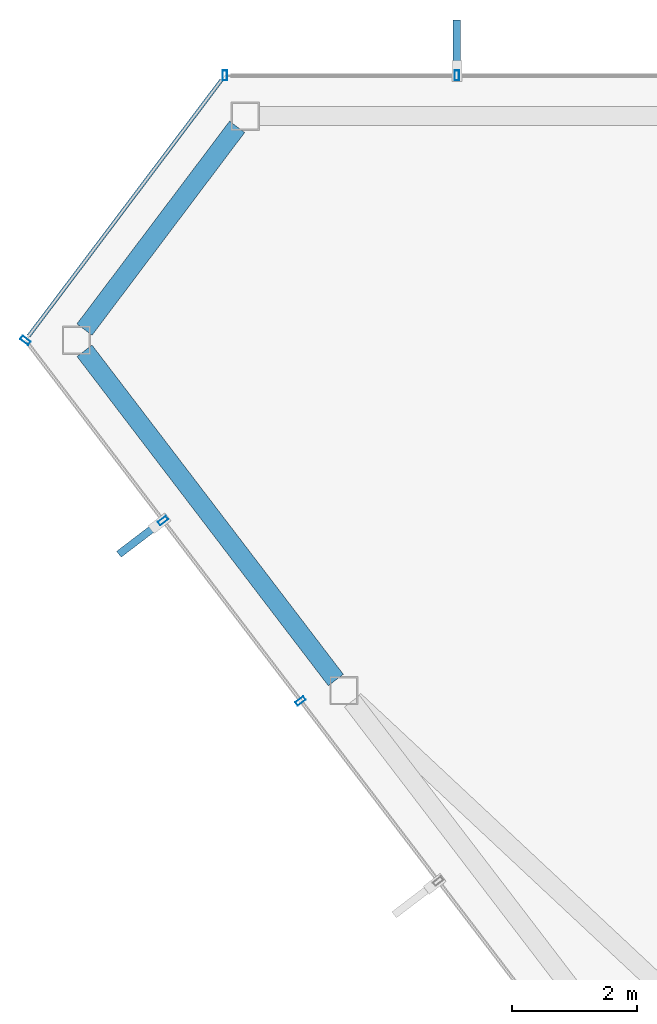
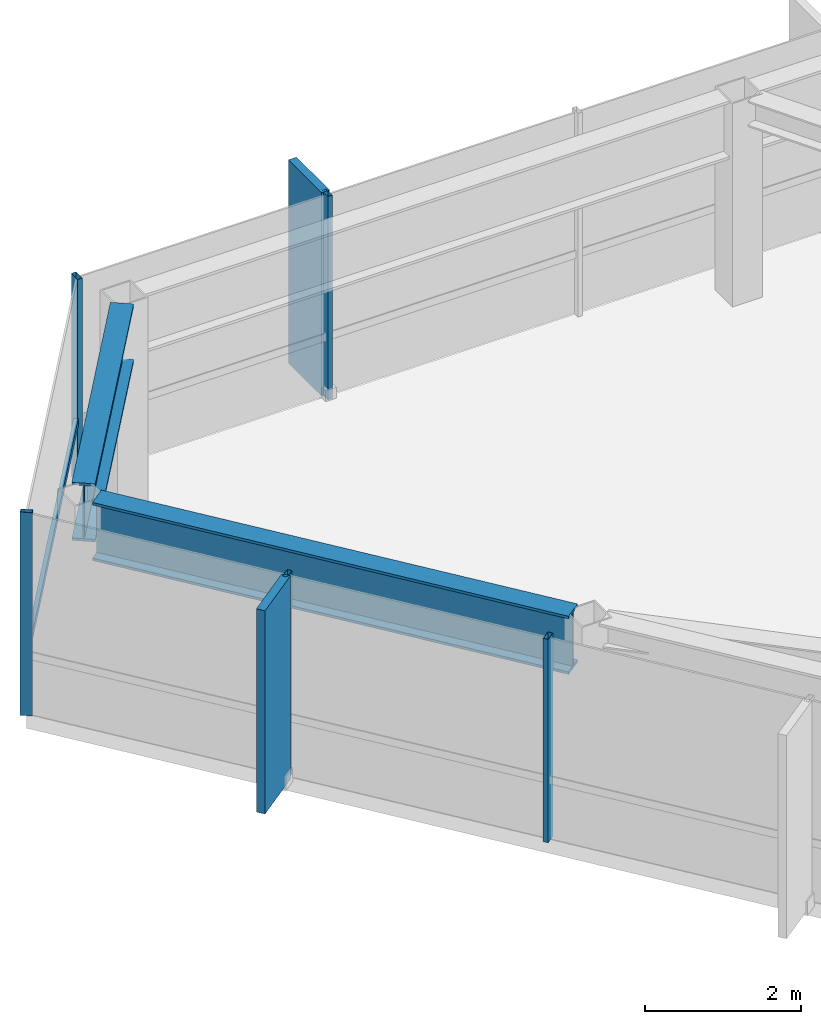
# One storey, part 10 of 22: 8 members, 2 beams, 3 elements without a shape of their own.
"""IFC4 building model written with IfcOpenShell, lengths in metres."""

from ifc_helpers import new_model, si_unit, direction, frame, origin, origin_2d, place, context, subcontext, project, spatial, rectangle, hollow_rectangle, i_section, extrude, material, layer, layer_set, material_profile, profile_set, type_object, element, aggregate, save


model = new_model("IFC4")

# Units and contexts
model_context = context("Model", 3, precision=1e-05, world=origin(), true_north=direction((0.0, 1.0)))
body_context = subcontext(model_context, "Body", "Model", "MODEL_VIEW")
ifc_project = project(units=[si_unit("LENGTHUNIT", "METRE"), si_unit("AREAUNIT", "SQUARE_METRE"), si_unit("VOLUMEUNIT", "CUBIC_METRE"), si_unit("PLANEANGLEUNIT", "RADIAN"), si_unit("MASSUNIT", "GRAM", prefix="KILO")], contexts=[model_context])

# Site, building, storey
site_placement = place(None, origin())
site = spatial("IfcSite", under=ifc_project, at=site_placement, CompositionType="ELEMENT")
building_placement = place(site_placement, origin())
building = spatial("IfcBuilding", under=site, at=building_placement, Name="Zarrinselat Tower", CompositionType="ELEMENT")
storey_placement = place(building_placement, frame((0.0, 0.0, 292.39990234375)))
storey = spatial("IfcBuildingStorey", under=building, at=storey_placement, Name="L75", CompositionType="ELEMENT", Elevation=292.39990234375)

# Beams
ifc_material_1 = material(Name="Steel S460M", Category="steel")
ifc_material_profile_1 = material_profile(ifc_material_1, i_section(OverallWidth=0.302001953125, OverallDepth=0.909912109375, WebThickness=0.02099609375, FlangeThickness=0.0400390625, at=origin_2d()), Name="HEM 900")
ifc_profile_set_1 = profile_set([ifc_material_profile_1], Name="Steel S460M")
beam_type = type_object("IfcBeamType", Name="BM-HEM900", PredefinedType="BEAM", material=ifc_profile_set_1)
beam_1_placement = place(storey_placement, frame((17.4892578125, 43.460205078125, 2.72509765625), z_axis=(0.601656958358, 0.798754595893, 0.0), x_axis=(-0.798754595893, 0.601656958358, 0.0)))
element("IfcBeam", 1, at=beam_1_placement, inside=storey, type_object=beam_type, Name="L75 Perimeter Spandrel Girder SP05", PredefinedType="BEAM", context=body_context, shape_type="SweptSolid", body=[
    extrude(i_section(OverallWidth=0.302001953125, OverallDepth=0.909912109375, WebThickness=0.02099609375, FlangeThickness=0.0400390625, at=origin_2d()), origin(), (0.0, 0.0, 1.0), 4.0517578125),
])
beam_2_placement = place(storey_placement, frame((17.490234375, 43.120849609375, 2.72509765625), z_axis=(0.606819456319, -0.794839699205, 0.0), x_axis=(0.794839699205, 0.606819456319, 0.0)))
element("IfcBeam", 2, at=beam_2_placement, inside=storey, type_object=beam_type, Name="L75 Perimeter Spandrel Girder SP06", PredefinedType="BEAM", context=body_context, shape_type="SweptSolid", body=[
    extrude(i_section(OverallWidth=0.302001953125, OverallDepth=0.909912109375, WebThickness=0.02099609375, FlangeThickness=0.0400390625, at=origin_2d()), origin(), (0.0, 0.0, 1.0), 6.61181640625),
])

# Curtain wall, members
ifc_material_2 = material(Name="Extruded Aluminium Alloy EN AW-6063 T6", Category="aluminium")
ifc_layer = layer(ifc_material_2, 0.169921875)
ifc_layer_set = layer_set([ifc_layer], Name="Extruded Aluminium Alloy EN AW-6063 T6")
curtain_wall_type = type_object("IfcCurtainWallType", Name="CWS-RES", PredefinedType="NOTDEFINED", material=ifc_layer_set)
curtain_wall_1_placement = place(storey_placement, origin())
curtain_wall_1 = element("IfcCurtainWall", 3, at=curtain_wall_1_placement, inside=storey, type_object=curtain_wall_type, Name="L75 Unitised Curtain Wall CW-L75-E01", PredefinedType="NOTDEFINED")
ifc_material_3 = material(Name="Extruded Aluminium Alloy EN AW-6063 T6", Category="aluminium")
ifc_material_profile_2 = material_profile(ifc_material_3, hollow_rectangle(XDim=0.070068359375, YDim=0.159912109375, WallThickness=0.00390625, at=origin_2d()), Name="RHS 160x70x4")
ifc_profile_set_2 = profile_set([ifc_material_profile_2], Name="Extruded Aluminium Alloy EN AW-6063 T6")
member_type_1 = type_object("IfcMemberType", Name="MEM-CW-MUL2", PredefinedType="MULLION", material=ifc_profile_set_2)
member_1_placement = place(storey_placement, frame((23.43359375, 47.5166015625, 0.0), z_axis=(0.0, 0.0, 1.0), x_axis=(-1.0, 0.0, 0.0)))
member_1 = element("IfcMember", 4, at=member_1_placement, type_object=member_type_1, Name="CW-L75-E01 Mullion 9", PredefinedType="MULLION", context=body_context, shape_type="SweptSolid", body=[
    extrude(hollow_rectangle(XDim=0.070068359375, YDim=0.159912109375, WallThickness=0.00390625, at=origin_2d()), origin(), (0.0, 0.0, 1.0), 3.18017578125),
])
member_2_placement = place(storey_placement, frame((19.731201171875, 47.5166015625, 0.0), z_axis=(0.0, 0.0, 1.0), x_axis=(-1.0, 0.0, 0.0)))
member_2 = element("IfcMember", 5, at=member_2_placement, type_object=member_type_1, Name="CW-L75-E01 Mullion 10", PredefinedType="MULLION", context=body_context, shape_type="SweptSolid", body=[
    extrude(hollow_rectangle(XDim=0.070068359375, YDim=0.159912109375, WallThickness=0.00390625, at=origin_2d()), origin(), (0.0, 0.0, 1.0), 3.18017578125),
])

# Curtain wall, member
curtain_wall_2_placement = place(storey_placement, origin())
curtain_wall_2 = element("IfcCurtainWall", 6, at=curtain_wall_2_placement, inside=storey, type_object=curtain_wall_type, Name="L75 Unitised Curtain Wall CW-L75-E02", PredefinedType="NOTDEFINED")
member_3_placement = place(storey_placement, frame((16.54541015625, 43.28759765625, 0.0), z_axis=(0.0, 0.0, 1.0), x_axis=(-0.601678799407, -0.798738143789, 0.0)))
member_3 = element("IfcMember", 7, at=member_3_placement, type_object=member_type_1, Name="CW-L75-E02 Mullion 1", PredefinedType="MULLION", context=body_context, shape_type="SweptSolid", body=[
    extrude(hollow_rectangle(XDim=0.070068359375, YDim=0.159912109375, WallThickness=0.00390625, at=origin_2d()), origin(), (0.0, 0.0, 1.0), 3.18017578125),
])

# Curtain wall, members
curtain_wall_3_placement = place(storey_placement, origin())
curtain_wall_3 = element("IfcCurtainWall", 8, at=curtain_wall_3_placement, inside=storey, type_object=curtain_wall_type, Name="L75 Unitised Curtain Wall CW-L75-E03", PredefinedType="NOTDEFINED")
member_4_placement = place(storey_placement, frame((18.7421875, 40.40966796875, 0.0), z_axis=(0.0, 0.0, 1.0), x_axis=(0.606801746242, -0.794853219631, 0.0)))
member_4 = element("IfcMember", 9, at=member_4_placement, type_object=member_type_1, Name="CW-L75-E03 Mullion 1", PredefinedType="MULLION", context=body_context, shape_type="SweptSolid", body=[
    extrude(hollow_rectangle(XDim=0.070068359375, YDim=0.159912109375, WallThickness=0.00390625, at=origin_2d()), origin(), (0.0, 0.0, 1.0), 3.18017578125),
])
member_5_placement = place(storey_placement, frame((20.939453125, 37.53173828125, 0.0), z_axis=(0.0, 0.0, 1.0), x_axis=(0.606801746242, -0.794853219631, 0.0)))
member_5 = element("IfcMember", 10, at=member_5_placement, type_object=member_type_1, Name="CW-L75-E03 Mullion 2", PredefinedType="MULLION", context=body_context, shape_type="SweptSolid", body=[
    extrude(hollow_rectangle(XDim=0.070068359375, YDim=0.159912109375, WallThickness=0.00390625, at=origin_2d()), origin(), (0.0, 0.0, 1.0), 3.18017578125),
])

# Member
ifc_material_4 = material(Name="Extruded Aluminium Alloy EN AW-6063 T6", Category="aluminium")
ifc_material_profile_3 = material_profile(ifc_material_4, hollow_rectangle(XDim=0.06005859375, YDim=0.1201171875, WallThickness=0.00390625, at=origin_2d()), Name="RHS 120x60x4")
ifc_profile_set_3 = profile_set([ifc_material_profile_3], Name="Extruded Aluminium Alloy EN AW-6063 T6")
member_type_2 = type_object("IfcMemberType", Name="MEM-CW-TRN2", PredefinedType="USERDEFINED", material=ifc_profile_set_3)
member_6_placement = place(storey_placement, frame((19.677001953125, 47.44482421875, 0.9501953125), z_axis=(-0.601663597647, -0.798749594846, 0.0), x_axis=(0.798749594846, -0.601663597647, 0.0)))
member_6 = element("IfcMember", 11, at=member_6_placement, type_object=member_type_2, Name="CW-L75-E02 Transom 1", ObjectType="TRANSOM", PredefinedType="USERDEFINED", context=body_context, shape_type="SweptSolid", body=[
    extrude(hollow_rectangle(XDim=0.06005859375, YDim=0.1201171875, WallThickness=0.00390625, at=origin_2d()), origin(), (0.0, 0.0, 1.0), 5.11474609375),
])

aggregate(curtain_wall_2, [member_3, member_6])

ifc_material_5 = material(Name="Honed Cream Travertine Stone", Category="masonry")
ifc_material_profile_4 = material_profile(ifc_material_5, rectangle(XDim=0.1201171875, YDim=0.85009765625, at=origin_2d()), Name="FIN 850x120")
ifc_profile_set_4 = profile_set([ifc_material_profile_4], Name="Honed Cream Travertine Stone")
member_type_3 = type_object("IfcMemberType", Name="MEM-STONE-FIN", PredefinedType="USERDEFINED", material=ifc_profile_set_4)
member_7_placement = place(storey_placement, frame((23.43359375, 47.976806640625, 0.0), z_axis=(0.0, 0.0, 1.0), x_axis=(1.0, 0.0, 0.0)))
member_7 = element("IfcMember", 12, at=member_7_placement, type_object=member_type_3, Name="L75 Stone Shading Fin CW-L75-E01-09", ObjectType="FIN", PredefinedType="USERDEFINED", context=body_context, shape_type="SweptSolid", body=[
    extrude(rectangle(XDim=0.1201171875, YDim=0.85009765625, at=origin_2d()), origin(), (0.0, 0.0, 1.0), 3.18017578125),
])

aggregate(curtain_wall_1, [member_1, member_7, member_2])

member_8_placement = place(storey_placement, frame((18.376708984375, 40.130615234375, 0.0), z_axis=(0.0, 0.0, 1.0), x_axis=(-0.606801746242, 0.794853219631, 0.0)))
member_8 = element("IfcMember", 13, at=member_8_placement, type_object=member_type_3, Name="L75 Stone Shading Fin CW-L75-E03-01", ObjectType="FIN", PredefinedType="USERDEFINED", context=body_context, shape_type="SweptSolid", body=[
    extrude(rectangle(XDim=0.1201171875, YDim=0.85009765625, at=origin_2d()), origin(), (0.0, 0.0, 1.0), 3.18017578125),
])

aggregate(curtain_wall_3, [member_4, member_8, member_5])

save(model, "model.ifc")
